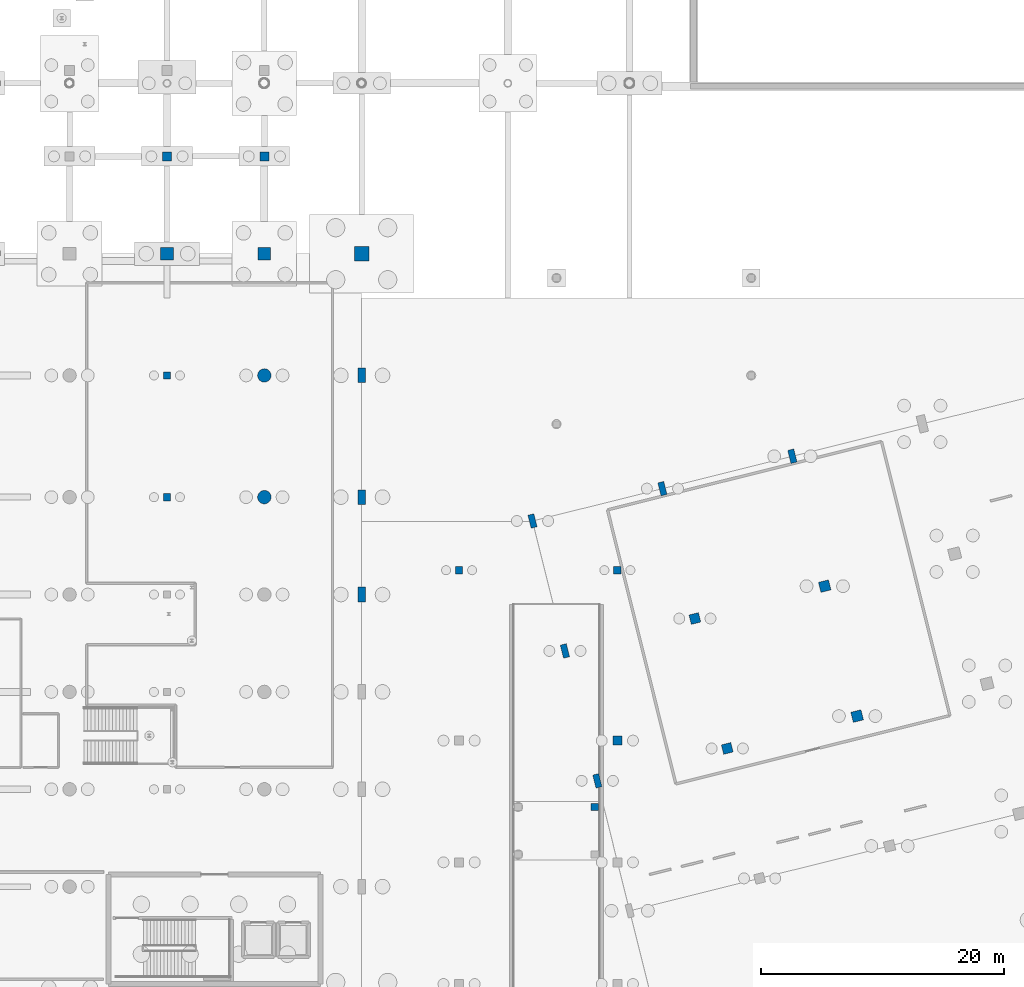
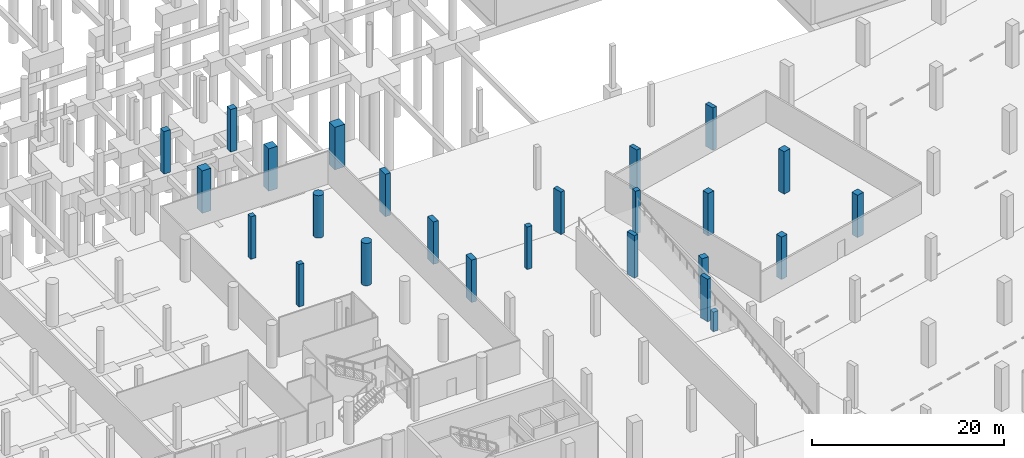
# One storey, part 36 of 65: 25 columns.
"""IFC4 building model written with IfcOpenShell, lengths in metres."""

from ifc_helpers import new_model, si_unit, direction, frame, origin, origin_2d, place, context, subcontext, project, spatial, rectangle, circle, extrude, material, material_profile, profile_set, type_object, element, save


model = new_model("IFC4")

# Units and contexts
model_context = context("Model", 3, precision=1e-05, world=origin(), true_north=direction((0.0, 1.0)))
body_context = subcontext(model_context, "Body", "Model", "MODEL_VIEW")
ifc_project = project(units=[si_unit("LENGTHUNIT", "METRE"), si_unit("AREAUNIT", "SQUARE_METRE"), si_unit("VOLUMEUNIT", "CUBIC_METRE"), si_unit("PLANEANGLEUNIT", "RADIAN"), si_unit("MASSUNIT", "GRAM", prefix="KILO")], contexts=[model_context])

# Site, building, storey
site_placement = place(None, origin())
site = spatial("IfcSite", under=ifc_project, at=site_placement, CompositionType="ELEMENT")
building_placement = place(site_placement, origin())
building = spatial("IfcBuilding", under=site, at=building_placement, Name="Khorjan Park Terminus", CompositionType="ELEMENT")
storey_placement = place(building_placement, frame((0.0, 0.0, -5.4)))
storey = spatial("IfcBuildingStorey", under=building, at=storey_placement, Name="B1", CompositionType="ELEMENT", Elevation=-5.4)

# Columns
ifc_material_1 = material(Name="Concrete C50/60", Category="concrete")
ifc_material_profile_1 = material_profile(ifc_material_1, rectangle(XDim=0.5, YDim=1.1, at=origin_2d()), Name="RC 500x1100")
ifc_profile_set_1 = profile_set([ifc_material_profile_1], Name="Concrete C50/60")
column_type_1 = type_object("IfcColumnType", Name="COL-BL1100E", PredefinedType="COLUMN", material=ifc_profile_set_1)
for number, where, z_axis, x_axis, name in (
    (1, (155.355, 44.693, 0.0), (0.0, 0.0, 1.0), (0.970295726276, 0.2419218956, 0.0), "Structural column C-BL11 (B1 #677)"),
    (2, (152.694, 55.366, 0.0), (0.0, 0.0, 1.0), (0.970295726276, 0.2419218956, 0.0), "Structural column C-BL11 (B1 #680)"),
    (3, (150.033, 66.04, 0.0), (0.0, 0.0, 1.0), (0.970295726276, 0.2419218956, 0.0), "Structural column C-BL11 (B1 #683)"),
    (4, (160.706, 68.701, 0.0), (0.0, 0.0, 1.0), (0.970295726276, 0.2419218956, 0.0), "Structural column C-BL11 (B1 #716)"),
    (5, (171.38, 71.362, 0.0), (0.0, 0.0, 1.0), (0.970295726276, 0.2419218956, 0.0), "Structural column C-BL11 (B1 #745)"),
):
    element("IfcColumn", number, at=place(storey_placement, frame(where, z_axis=z_axis, x_axis=x_axis)), inside=storey, type_object=column_type_1, Name=name, PredefinedType="COLUMN", context=body_context, shape_type="SweptSolid", body=[
        extrude(rectangle(XDim=0.5, YDim=1.1, at=origin_2d()), origin(), (0.0, 0.0, 1.0), 5.4),
    ])
ifc_material_profile_2 = material_profile(ifc_material_1, rectangle(XDim=0.6, YDim=1.2, at=origin_2d()), Name="RC 600x1200")
ifc_profile_set_2 = profile_set([ifc_material_profile_2], Name="Concrete C50/60")
column_type_2 = type_object("IfcColumnType", Name="COL-BL1200", PredefinedType="COLUMN", material=ifc_profile_set_2)
for number, where, z_axis, x_axis, name in (
    (6, (136.0, 60.0, 0.0), (0.0, 0.0, 1.0), (1.0, 0.0, 0.0), "Structural column C-BL12 (B1 #486)"),
    (7, (136.0, 68.0, 0.0), (0.0, 0.0, 1.0), (1.0, 0.0, 0.0), "Structural column C-BL12 (B1 #491)"),
    (8, (136.0, 78.0, 0.0), (0.0, 0.0, 1.0), (1.0, 0.0, 0.0), "Structural column C-BL12 (B1 #496)"),
):
    element("IfcColumn", number, at=place(storey_placement, frame(where, z_axis=z_axis, x_axis=x_axis)), inside=storey, type_object=column_type_2, Name=name, PredefinedType="COLUMN", context=body_context, shape_type="SweptSolid", body=[
        extrude(rectangle(XDim=0.6, YDim=1.2, at=origin_2d()), origin(), (0.0, 0.0, 1.0), 5.4),
    ])
ifc_material_profile_3 = material_profile(ifc_material_1, rectangle(XDim=1.05, YDim=1.05, at=origin_2d()), Name="RC 1050x1050")
ifc_profile_set_3 = profile_set([ifc_material_profile_3], Name="Concrete C50/60")
column_type_3 = type_object("IfcColumnType", Name="COL-RC1050", PredefinedType="COLUMN", material=ifc_profile_set_3)
for number, where, z_axis, x_axis, name in (
    (9, (120.0, 88.0, 0.0), (0.0, 0.0, 1.0), (1.0, 0.0, 0.0), "Structural column C-RC105 (B1 #436)"),
    (10, (128.0, 88.0, 0.0), (0.0, 0.0, 1.0), (1.0, 0.0, 0.0), "Structural column C-RC105 (B1 #461)"),
):
    element("IfcColumn", number, at=place(storey_placement, frame(where, z_axis=z_axis, x_axis=x_axis)), inside=storey, type_object=column_type_3, Name=name, PredefinedType="COLUMN", context=body_context, shape_type="SweptSolid", body=[
        extrude(rectangle(XDim=1.05, YDim=1.05, at=origin_2d()), origin(), (0.0, 0.0, 1.0), 5.4),
    ])
ifc_material_profile_4 = material_profile(ifc_material_1, rectangle(XDim=1.2, YDim=1.2, at=origin_2d()), Name="RC 1200x1200")
ifc_profile_set_4 = profile_set([ifc_material_profile_4], Name="Concrete C50/60")
column_type_4 = type_object("IfcColumnType", Name="COL-RC1200", PredefinedType="COLUMN", material=ifc_profile_set_4)
column_1_placement = place(storey_placement, frame((136.0, 88.0, 0.0), z_axis=(0.0, 0.0, 1.0), x_axis=(1.0, 0.0, 0.0)))
element("IfcColumn", 11, at=column_1_placement, inside=storey, type_object=column_type_4, Name="Structural column C-RC12 (B1 #501)", PredefinedType="COLUMN", context=body_context, shape_type="SweptSolid", body=[
    extrude(rectangle(XDim=1.2, YDim=1.2, at=origin_2d()), origin(), (0.0, 0.0, 1.0), 5.4),
])
ifc_material_2 = material(Name="Concrete C40/50", Category="concrete")
ifc_material_profile_5 = material_profile(ifc_material_2, rectangle(XDim=0.6, YDim=0.6, at=origin_2d()), Name="RC 600x600")
ifc_profile_set_5 = profile_set([ifc_material_profile_5], Name="Concrete C40/50")
column_type_5 = type_object("IfcColumnType", Name="COL-RC600", PredefinedType="COLUMN", material=ifc_profile_set_5)
for number, where, z_axis, x_axis, name in (
    (12, (120.0, 68.0, 0.0), (0.0, 0.0, 1.0), (1.0, 0.0, 0.0), "Structural column C-RC06 (B1 #434)"),
    (13, (120.0, 78.0, 0.0), (0.0, 0.0, 1.0), (1.0, 0.0, 0.0), "Structural column C-RC06 (B1 #435)"),
):
    element("IfcColumn", number, at=place(storey_placement, frame(where, z_axis=z_axis, x_axis=x_axis)), inside=storey, type_object=column_type_5, Name=name, PredefinedType="COLUMN", context=body_context, shape_type="SweptSolid", body=[
        extrude(rectangle(XDim=0.6, YDim=0.6, at=origin_2d()), origin(), (0.0, 0.0, 1.0), 5.4),
    ])
column_2_placement = place(storey_placement, frame((155.15, 42.55, 0.0), z_axis=(0.0, 0.0, 1.0), x_axis=(1.0, 0.0, 0.0)))
element("IfcColumn", 14, at=column_2_placement, inside=storey, type_object=column_type_5, Name="Structural column C-RC06 (B1 #541)", PredefinedType="COLUMN", context=body_context, shape_type="SweptSolid", body=[
    extrude(rectangle(XDim=0.6, YDim=0.6, at=origin_2d()), origin(), (0.0, 0.0, 1.0), 2.48),
])
for number, where, z_axis, x_axis, name in (
    (15, (144.0, 62.0, 0.0), (0.0, 0.0, 1.0), (1.0, 0.0, 0.0), "Structural column C-RC06 (B1 #938)"),
    (16, (157.0, 62.0, 0.0), (0.0, 0.0, 1.0), (1.0, 0.0, 0.0), "Structural column C-RC06 (B1 #949)"),
):
    element("IfcColumn", number, at=place(storey_placement, frame(where, z_axis=z_axis, x_axis=x_axis)), inside=storey, type_object=column_type_5, Name=name, PredefinedType="COLUMN", context=body_context, shape_type="SweptSolid", body=[
        extrude(rectangle(XDim=0.6, YDim=0.6, at=origin_2d()), origin(), (0.0, 0.0, 1.0), 5.4),
    ])
ifc_material_profile_6 = material_profile(ifc_material_2, rectangle(XDim=0.75, YDim=0.75, at=origin_2d()), Name="RC 750x750")
ifc_profile_set_6 = profile_set([ifc_material_profile_6], Name="Concrete C40/50")
column_type_6 = type_object("IfcColumnType", Name="COL-RC750", PredefinedType="COLUMN", material=ifc_profile_set_6)
for number, where, z_axis, x_axis, name in (
    (17, (120.0, 96.0, 0.0), (0.0, 0.0, 1.0), (1.0, 0.0, 0.0), "Structural column C-RC75 (B1 #522)"),
    (18, (128.0, 96.0, 0.0), (0.0, 0.0, 1.0), (1.0, 0.0, 0.0), "Structural column C-RC75 (B1 #526)"),
    (19, (157.0, 48.0, 0.0), (0.0, 0.0, 1.0), (1.0, 0.0, 0.0), "Structural column C-RC75 (B1 #945)"),
):
    element("IfcColumn", number, at=place(storey_placement, frame(where, z_axis=z_axis, x_axis=x_axis)), inside=storey, type_object=column_type_6, Name=name, PredefinedType="COLUMN", context=body_context, shape_type="SweptSolid", body=[
        extrude(rectangle(XDim=0.75, YDim=0.75, at=origin_2d()), origin(), (0.0, 0.0, 1.0), 5.4),
    ])
ifc_material_profile_7 = material_profile(ifc_material_2, rectangle(XDim=0.8, YDim=0.8, at=origin_2d()), Name="RC 800x800")
ifc_profile_set_7 = profile_set([ifc_material_profile_7], Name="Concrete C40/50")
column_type_7 = type_object("IfcColumnType", Name="COL-RC800", PredefinedType="COLUMN", material=ifc_profile_set_7)
for number, where, z_axis, x_axis, name in (
    (20, (166.029, 47.354, 0.0), (0.0, 0.0, 1.0), (0.970295726276, 0.2419218956, 0.0), "Structural column C-RC08 (B1 #710)"),
    (21, (163.368, 58.027, 0.0), (0.0, 0.0, 1.0), (0.970295726276, 0.2419218956, 0.0), "Structural column C-RC08 (B1 #713)"),
):
    element("IfcColumn", number, at=place(storey_placement, frame(where, z_axis=z_axis, x_axis=x_axis)), inside=storey, type_object=column_type_7, Name=name, PredefinedType="COLUMN", context=body_context, shape_type="SweptSolid", body=[
        extrude(rectangle(XDim=0.8, YDim=0.8, at=origin_2d()), origin(), (0.0, 0.0, 1.0), 5.4),
    ])
ifc_material_profile_8 = material_profile(ifc_material_2, rectangle(XDim=0.85, YDim=0.85, at=origin_2d()), Name="RC 850x850")
ifc_profile_set_8 = profile_set([ifc_material_profile_8], Name="Concrete C40/50")
column_type_8 = type_object("IfcColumnType", Name="COL-RC850", PredefinedType="COLUMN", material=ifc_profile_set_8)
for number, where, z_axis, x_axis, name in (
    (22, (176.702, 50.015, 0.0), (0.0, 0.0, 1.0), (0.970295726276, 0.2419218956, 0.0), "Structural column C-RC85 (B1 #737)"),
    (23, (174.041, 60.688, 0.0), (0.0, 0.0, 1.0), (0.970295726276, 0.2419218956, 0.0), "Structural column C-RC85 (B1 #741)"),
):
    element("IfcColumn", number, at=place(storey_placement, frame(where, z_axis=z_axis, x_axis=x_axis)), inside=storey, type_object=column_type_8, Name=name, PredefinedType="COLUMN", context=body_context, shape_type="SweptSolid", body=[
        extrude(rectangle(XDim=0.85, YDim=0.85, at=origin_2d()), origin(), (0.0, 0.0, 1.0), 5.4),
    ])
ifc_material_profile_9 = material_profile(ifc_material_1, circle(Radius=0.55, at=origin_2d()), Name="RC D1100")
ifc_profile_set_9 = profile_set([ifc_material_profile_9], Name="Concrete C50/60")
column_type_9 = type_object("IfcColumnType", Name="COL-RD1100", PredefinedType="COLUMN", material=ifc_profile_set_9)
for number, where, z_axis, x_axis, name in (
    (24, (128.0, 68.0, 0.0), (0.0, 0.0, 1.0), (1.0, 0.0, 0.0), "Structural column C-RD11 (B1 #455)"),
    (25, (128.0, 78.0, 0.0), (0.0, 0.0, 1.0), (1.0, 0.0, 0.0), "Structural column C-RD11 (B1 #458)"),
):
    element("IfcColumn", number, at=place(storey_placement, frame(where, z_axis=z_axis, x_axis=x_axis)), inside=storey, type_object=column_type_9, Name=name, PredefinedType="COLUMN", context=body_context, shape_type="SweptSolid", body=[
        extrude(circle(Radius=0.55, at=origin_2d()), origin(), (0.0, 0.0, 1.0), 5.4),
    ])

save(model, "model.ifc")
